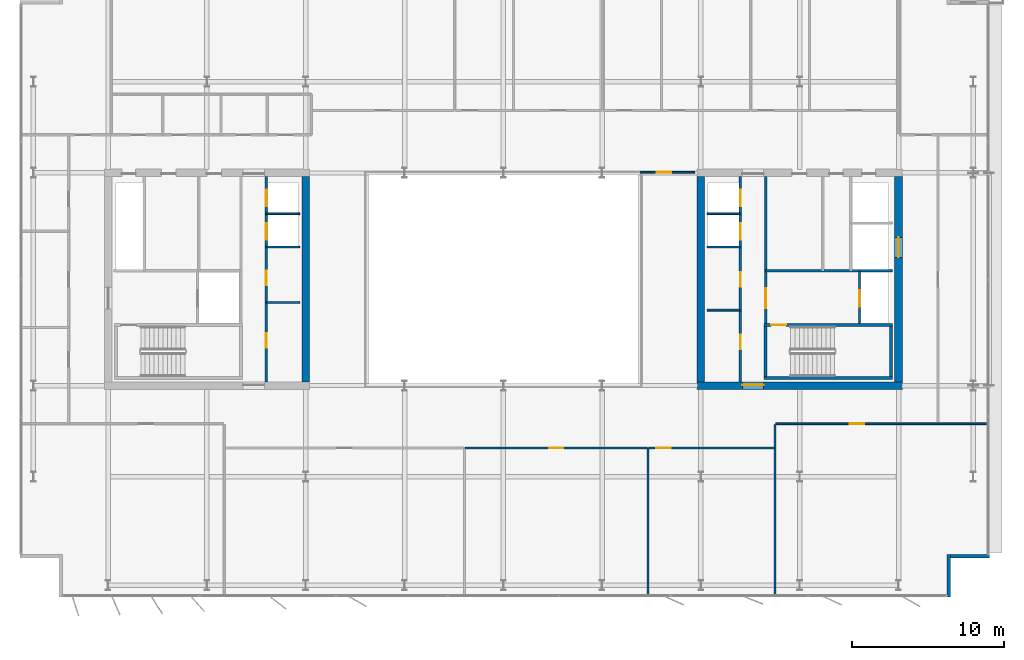
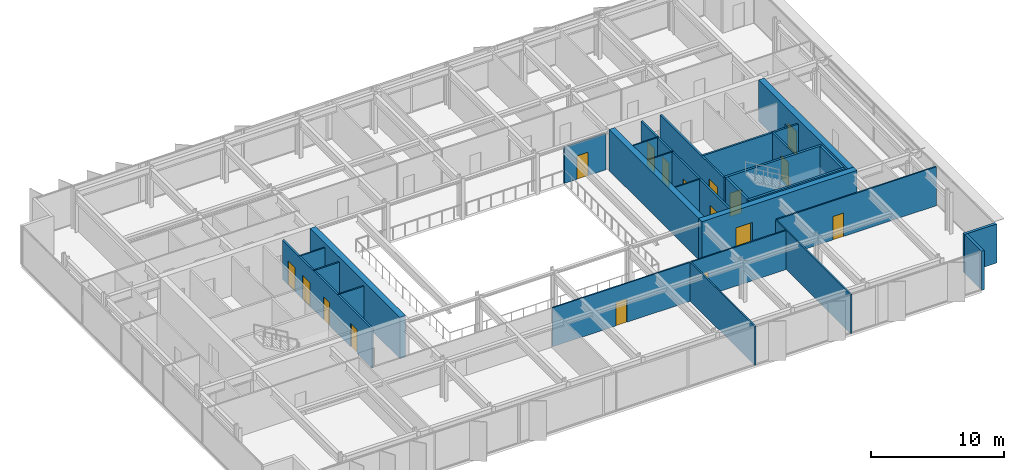
# One storey, part 13 of 19: 27 walls, 17 doors, 17 openings.
"""IFC4 building model written with IfcOpenShell, lengths in metres."""

import ifcopenshell
import ifcopenshell.guid

model = None  # the IFC model being written
_history = None  # IfcOwnerHistory: only IFC2X3 demands one
_inside = {}  # id of a spatial element -> (the spatial element, [elements in it])
_under = {}  # id of a project, library or spatial element -> (it, [spatial elements below it])
_declared = {}  # id of a project -> (the project, [libraries it declares])
_typed = {}  # id of a type object -> (the type object, [elements of that type])
_made_of = {}  # id of a material, layer set ... -> (it, [elements and type objects made of it])


def new_model(schema):
    """Start an empty IFC model of exactly this schema.

    Asked for "IFC4X3", IfcOpenShell would pick the latest addendum, in which some entities
    have other attributes; the version numbers below select the first issue.
    IFC2X3 requires an IfcOwnerHistory on every rooted entity: one is made here for all.
    """
    global model, _history
    if schema == "IFC4X3":
        model = ifcopenshell.file(schema_version=(4, 3, 0, 0))
    else:
        model = ifcopenshell.file(schema=schema)
    _inside.clear()
    _under.clear()
    _declared.clear()
    _typed.clear()
    _made_of.clear()
    _history = None
    if model.schema == "IFC2X3":
        org = make("IfcOrganization", Name="unknown")
        user = make(
            "IfcPersonAndOrganization",
            ThePerson=make("IfcPerson", FamilyName="unknown"),
            TheOrganization=org,
        )
        app = make(
            "IfcApplication",
            ApplicationDeveloper=org,
            Version="unknown",
            ApplicationFullName="unknown",
            ApplicationIdentifier="unknown",
        )
        _history = make(
            "IfcOwnerHistory",
            OwningUser=user,
            OwningApplication=app,
            ChangeAction="ADDED",
            CreationDate=0,
        )
    return model


def make(cls, **values):
    """One entity of the class cls with the attributes given. An attribute that is None is left unset."""
    return model.create_entity(
        cls, **{name: value for name, value in values.items() if value is not None}
    )


def rooted(cls, **values):
    """An entity with a GlobalId (a new one), such as an element, a storey or a relation."""
    return make(cls, GlobalId=ifcopenshell.guid.new(), OwnerHistory=_history, **values)


def si_unit(unit_type, name, prefix=None):
    """IfcSIUnit, for example si_unit("LENGTHUNIT", "METRE", prefix="MILLI")."""
    return make("IfcSIUnit", UnitType=unit_type, Prefix=prefix, Name=name)


def assignment(units):
    """IfcUnitAssignment: the units of a project."""
    return None if units is None else make("IfcUnitAssignment", Units=units)


def point(xyz):
    """IfcCartesianPoint."""
    return None if xyz is None else make("IfcCartesianPoint", Coordinates=xyz)


def direction(xyz):
    """IfcDirection."""
    return None if xyz is None else make("IfcDirection", DirectionRatios=xyz)


def frame(location, z_axis=None, x_axis=None):
    """IfcAxis2Placement3D, a coordinate frame: its origin and axes. An axis left out is left unset."""
    return make(
        "IfcAxis2Placement3D",
        Location=point(location),
        Axis=direction(z_axis),
        RefDirection=direction(x_axis),
    )


def frame_2d(location, x_axis=None):
    """IfcAxis2Placement2D, a coordinate frame in the plane: its origin and x axis."""
    return make(
        "IfcAxis2Placement2D", Location=point(location), RefDirection=direction(x_axis)
    )


def origin():
    """The frame at (0, 0, 0) with its axes left unset."""
    return frame((0.0, 0.0, 0.0))


def place(relative_to, where):
    """IfcLocalPlacement: puts the frame where relative to a parent placement (None: the world)."""
    return make(
        "IfcLocalPlacement", PlacementRelTo=relative_to, RelativePlacement=where
    )


def context(
    kind, dimensions, precision=None, world=None, true_north=None, identifier=None
):
    """IfcGeometricRepresentationContext, for example the 3D "Model" context."""
    return make(
        "IfcGeometricRepresentationContext",
        ContextIdentifier=identifier,
        ContextType=kind,
        CoordinateSpaceDimension=dimensions,
        Precision=precision,
        WorldCoordinateSystem=world,
        TrueNorth=true_north,
    )


def subcontext(parent, identifier, kind, view, scale=None):
    """IfcGeometricRepresentationSubContext, for example "Body" below "Model"."""
    return make(
        "IfcGeometricRepresentationSubContext",
        ContextIdentifier=identifier,
        ContextType=kind,
        ParentContext=parent,
        TargetScale=scale,
        TargetView=view,
    )


def project(units=None, contexts=None):
    """IfcProject with its units and contexts."""
    return rooted(
        "IfcProject",
        Name="project",
        RepresentationContexts=contexts,
        UnitsInContext=assignment(units),
    )


def spatial(cls, under=None, at=None, **own):
    """A site, building, storey or space (cls), placed at a placement, below another one or the project."""
    s = rooted(cls, ObjectPlacement=at, **own)
    if under is not None:
        _under.setdefault(under.id(), (under, []))[1].append(s)
    return s


def profile(cls, at=None, kind="AREA", **sizes):
    """A parametric profile (cls). Its sizes go by their IFC names, for example OverallWidth=200.0."""
    return make(cls, ProfileType=kind, Position=at, **sizes)


def rectangle(**sizes):
    """IfcRectangleProfileDef."""
    return profile("IfcRectangleProfileDef", **sizes)


def extrude(swept, where, along, depth):
    """IfcExtrudedAreaSolid: the profile swept, set in the frame where, extruded along a direction by depth."""
    return make(
        "IfcExtrudedAreaSolid",
        SweptArea=swept,
        Position=where,
        ExtrudedDirection=direction(along),
        Depth=depth,
    )


def shape(context_of_items, identifier, shape_type, items):
    """IfcShapeRepresentation: the items that make up one representation, for example the "Body"."""
    return make(
        "IfcShapeRepresentation",
        ContextOfItems=context_of_items,
        RepresentationIdentifier=identifier,
        RepresentationType=shape_type,
        Items=items,
    )


def material(Name=None, Category=None):
    """IfcMaterial."""
    return make("IfcMaterial", Name=Name, Category=Category)


def layer(
    of_material, thickness, ventilated=None, Name=None, Category=None, Priority=None
):
    """IfcMaterialLayer: one layer of a wall or slab, of a material (None: an air gap)."""
    return make(
        "IfcMaterialLayer",
        Material=of_material,
        LayerThickness=thickness,
        IsVentilated=ventilated,
        Name=Name,
        Category=Category,
        Priority=Priority,
    )


def layer_set(layers, Name=None):
    """IfcMaterialLayerSet."""
    return make("IfcMaterialLayerSet", MaterialLayers=layers, LayerSetName=Name)


def made_of(thing, what):
    """Note that an element or type object is made of a material, layer set ...; save() writes the relation."""
    if what is not None:
        _made_of.setdefault(what.id(), (what, []))[1].append(thing)
    return thing


def type_object(cls, material=None, **own):
    """A type object (cls), such as IfcWallType, which elements share."""
    return made_of(rooted(cls, **own), material)


def element(
    cls,
    number,
    at=None,
    inside=None,
    cuts=None,
    type_object=None,
    material=None,
    context=None,
    identifier="Body",
    shape_type=None,
    held_by="IfcProductDefinitionShape",
    body=None,
    shapes=None,
    **own,
):
    """One element of the class cls, such as IfcWall. Its Tag is "e" and its number.

    at: its placement. inside: the storey or other place that contains it. cuts: it is an
    opening in that element (IfcRelVoidsElement). A single representation is given by context,
    identifier, shape_type and body (its items); several are given by shapes. held_by: the class
    of the entity that holds the representations. save() writes the other relations.
    """
    e = rooted(cls, Tag="e%d" % number, ObjectPlacement=at, **own)
    if body is not None:
        shapes = [shape(context, identifier, shape_type, body)]
    if shapes is not None:
        e.Representation = make(held_by, Representations=shapes)
    if inside is not None:
        _inside.setdefault(inside.id(), (inside, []))[1].append(e)
    if cuts is not None:
        rooted(
            "IfcRelVoidsElement", RelatingBuildingElement=cuts, RelatedOpeningElement=e
        )
    if type_object is not None:
        _typed.setdefault(type_object.id(), (type_object, []))[1].append(e)
    return made_of(e, material)


def fill(opening, filler):
    """IfcRelFillsElement: the door or window that sits in an opening."""
    return rooted(
        "IfcRelFillsElement",
        RelatingOpeningElement=opening,
        RelatedBuildingElement=filler,
    )


def aggregate(whole, parts):
    """IfcRelAggregates: a whole, such as a stair, and the parts it consists of."""
    return rooted("IfcRelAggregates", RelatingObject=whole, RelatedObjects=parts)


def save(model, path):
    """Write the relations noted so far, then the file.

    IfcRelAggregates (storeys below a building ...), IfcRelContainedInSpatialStructure (elements
    in a storey), IfcRelDefinesByType, IfcRelAssociatesMaterial and IfcRelDeclares: one each for
    every whole, place, type object, material and project.
    """
    for whole, parts in _under.values():
        aggregate(whole, parts)
    for where, things in _inside.values():
        rooted(
            "IfcRelContainedInSpatialStructure",
            RelatedElements=things,
            RelatingStructure=where,
        )
    for kind, things in _typed.values():
        rooted("IfcRelDefinesByType", RelatedObjects=things, RelatingType=kind)
    for what, things in _made_of.values():
        rooted("IfcRelAssociatesMaterial", RelatedObjects=things, RelatingMaterial=what)
    for by, libraries in _declared.values():
        rooted("IfcRelDeclares", RelatingContext=by, RelatedDefinitions=libraries)
    model.write(path)


model = new_model("IFC4")

# Units and contexts
model_context = context("Model", 3, precision=1e-05, world=origin(), true_north=direction((0.0, 1.0)))
body_context = subcontext(model_context, "Body", "Model", "MODEL_VIEW")
ifc_project = project(units=[si_unit("LENGTHUNIT", "METRE"), si_unit("AREAUNIT", "SQUARE_METRE"), si_unit("VOLUMEUNIT", "CUBIC_METRE"), si_unit("PLANEANGLEUNIT", "RADIAN"), si_unit("MASSUNIT", "GRAM", prefix="KILO")], contexts=[model_context])

# Site, building, storey
site_placement = place(None, origin())
site = spatial("IfcSite", under=ifc_project, at=site_placement, CompositionType="ELEMENT")
building_placement = place(site_placement, origin())
building = spatial("IfcBuilding", under=site, at=building_placement, Name="Putna Gate Headquarters", CompositionType="ELEMENT")
storey_placement = place(building_placement, frame((0.0, 0.0, 263.199951171875)))
storey = spatial("IfcBuildingStorey", under=building, at=storey_placement, Name="L66", CompositionType="ELEMENT", Elevation=263.199951171875)

# Wall
ifc_material_1 = material(Name="Concrete C50/60", Category="concrete")
ifc_layer_1 = layer(ifc_material_1, 0.5)
ifc_layer_set_1 = layer_set([ifc_layer_1], Name="Concrete C50/60")
wall_type_1 = type_object("IfcWallType", Name="WALL-CORE-500", PredefinedType="SHEAR", material=ifc_layer_set_1)
wall_1_placement = place(storey_placement, frame((26.0, 19.25, 0.0), z_axis=(0.0, 0.0, 1.0), x_axis=(0.0, 1.0, 0.0)))
element("IfcWall", 1, at=wall_1_placement, inside=storey, type_object=wall_type_1, Name="L66 WC Split Core Shear Wall E", PredefinedType="SHEAR", context=body_context, shape_type="SweptSolid", body=[
    extrude(rectangle(XDim=13.5, YDim=0.5, at=frame_2d((6.75, 0.0))), origin(), (0.0, 0.0, 1.0), 3.800048828125),
])

# Wall, opening, door
wall_2_placement = place(storey_placement, frame((51.75, 19.0, 0.0), z_axis=(0.0, 0.0, 1.0), x_axis=(1.0, 0.0, 0.0)))
wall_2 = element("IfcWall", 2, at=wall_2_placement, inside=storey, type_object=wall_type_1, Name="L66 EC Split Core Shear Wall S", PredefinedType="SHEAR", context=body_context, shape_type="SweptSolid", body=[
    extrude(rectangle(XDim=13.5, YDim=0.5, at=frame_2d((6.75, 0.0))), origin(), (0.0, 0.0, 1.0), 3.800048828125),
])
opening_1_placement = place(wall_2_placement, frame((2.969970703125, 0.0, 0.0)))
opening_1 = element("IfcOpeningElement", 3, at=opening_1_placement, cuts=wall_2, Name="Opening FDD-140", PredefinedType="OPENING", context=body_context, shape_type="SweptSolid", body=[
    extrude(rectangle(XDim=1.39990234375, YDim=2.199951171875, at=frame_2d((0.699951171875, 1.10009765625))), frame((0.0, 0.260009765625, 0.0), z_axis=(0.0, -1.0, 0.0), x_axis=(1.0, 0.0, 0.0)), (0.0, 0.0, 1.0), 0.52001953125),
])
ifc_material_2 = material(Name="Double steel fire door", Category="steel")
door_type_1 = type_object("IfcDoorType", Name="DOOR-FIRE-DBL-1400", OperationType="DOUBLE_DOOR_SINGLE_SWING", PredefinedType="DOOR", material=ifc_material_2)
door_1_placement = place(opening_1_placement, origin())
door_1 = element("IfcDoor", 4, at=door_1_placement, inside=storey, type_object=door_type_1, Name="L66 East Lift Lobby South Door", OperationType="DOUBLE_DOOR_SINGLE_SWING", OverallHeight=2.199951171875, OverallWidth=1.39990234375, PredefinedType="DOOR", context=body_context, shape_type="SweptSolid", body=[
    extrude(rectangle(XDim=1.39990234375, YDim=2.199951171875, at=frame_2d((0.699951171875, 1.10009765625))), frame((0.0, 0.0751953125, 0.0), z_axis=(0.0, -1.0, 0.0), x_axis=(1.0, 0.0, 0.0)), (0.0, 0.0, 1.0), 0.050048828125),
])
fill(opening_1, door_1)

# Wall
wall_3_placement = place(storey_placement, frame((52.0, 19.25, 0.0), z_axis=(0.0, 0.0, 1.0), x_axis=(0.0, 1.0, 0.0)))
element("IfcWall", 5, at=wall_3_placement, inside=storey, type_object=wall_type_1, Name="L66 EC Split Core Shear Wall W", PredefinedType="SHEAR", context=body_context, shape_type="SweptSolid", body=[
    extrude(rectangle(XDim=13.5, YDim=0.5, at=frame_2d((6.75, 0.0))), origin(), (0.0, 0.0, 1.0), 3.800048828125),
])

# Wall, opening, door
wall_4_placement = place(storey_placement, frame((65.0, 19.25, 0.0), z_axis=(0.0, 0.0, 1.0), x_axis=(0.0, 1.0, 0.0)))
wall_4 = element("IfcWall", 6, at=wall_4_placement, inside=storey, type_object=wall_type_1, Name="L66 EC Split Core Shear Wall E", PredefinedType="SHEAR", context=body_context, shape_type="SweptSolid", body=[
    extrude(rectangle(XDim=13.5, YDim=0.5, at=frame_2d((6.75, 0.0))), origin(), (0.0, 0.0, 1.0), 3.800048828125),
])
opening_2_placement = place(wall_4_placement, frame((8.199951171875, 0.0, 0.0)))
opening_2 = element("IfcOpeningElement", 7, at=opening_2_placement, cuts=wall_4, Name="Opening LD-2", PredefinedType="OPENING", context=body_context, shape_type="SweptSolid", body=[
    extrude(rectangle(XDim=1.300048828125, YDim=2.199951171875, at=frame_2d((0.64990234375, 1.10009765625))), frame((0.0, 0.260009765625, 0.0), z_axis=(0.0, -1.0, 0.0), x_axis=(1.0, 0.0, 0.0)), (0.0, 0.0, 1.0), 0.52001953125),
])
ifc_material_3 = material(Name="Heavy-duty goods lift sliding landing door")
door_type_2 = type_object("IfcDoorType", Name="DOOR-LIFT-1300", OperationType="DOUBLE_DOOR_SLIDING", PredefinedType="DOOR", material=ifc_material_3)
door_2_placement = place(opening_2_placement, origin())
door_2 = element("IfcDoor", 8, at=door_2_placement, inside=storey, type_object=door_type_2, Name="L66 Goods Lift Landing Door LD-15", OperationType="DOUBLE_DOOR_SLIDING", OverallHeight=2.199951171875, OverallWidth=1.300048828125, PredefinedType="DOOR", context=body_context, shape_type="SweptSolid", body=[
    extrude(rectangle(XDim=1.300048828125, YDim=2.199951171875, at=frame_2d((0.64990234375, 1.10009765625))), frame((0.0, 0.02490234375, 0.0), z_axis=(0.0, -1.0, 0.0), x_axis=(1.0, 0.0, 0.0)), (0.0, 0.0, 1.0), 0.050048828125),
])
fill(opening_2, door_2)

# Walls
ifc_material_4 = material(Name="Precast concrete C40/50", Category="concrete")
ifc_layer_2 = layer(ifc_material_4, 0.239990234375)
ifc_layer_set_2 = layer_set([ifc_layer_2], Name="Precast concrete C40/50")
wall_type_2 = type_object("IfcWallType", Name="WALL-EXT-TERR-240", PredefinedType="STANDARD", material=ifc_layer_set_2)
wall_5_placement = place(storey_placement, frame((68.30908203125, 7.89990234375, 0.0), z_axis=(0.0, 0.0, 1.0), x_axis=(0.0, -1.0, 0.0)))
element("IfcWall", 9, at=wall_5_placement, inside=storey, type_object=wall_type_2, Name="L66 Corner Notch Return Wall SE-V", PredefinedType="STANDARD", context=body_context, shape_type="SweptSolid", body=[
    extrude(rectangle(XDim=2.7998046875, YDim=0.239990234375, at=frame_2d((1.39990234375, 0.0))), origin(), (0.0, 0.0, 1.0), 3.588134765625),
])
wall_6_placement = place(storey_placement, frame((70.989013671875, 7.780029296875, 0.0), z_axis=(0.0, 0.0, 1.0), x_axis=(-1.0, 0.0, 0.0)))
element("IfcWall", 10, at=wall_6_placement, inside=storey, type_object=wall_type_2, Name="L66 Corner Notch Return Wall SE-H", PredefinedType="STANDARD", context=body_context, shape_type="SweptSolid", body=[
    extrude(rectangle(XDim=2.800048828125, YDim=0.239990234375, at=frame_2d((1.39990234375, 0.0))), origin(), (0.0, 0.0, 1.0), 3.588134765625),
])

# Wall, opening, door
ifc_material_5 = material(Name="Acoustic gypsum board on metal stud")
ifc_layer_3 = layer(ifc_material_5, 0.1201171875)
ifc_layer_set_3 = layer_set([ifc_layer_3], Name="Acoustic gypsum board on metal stud")
wall_type_3 = type_object("IfcWallType", Name="WALL-PART-120", PredefinedType="PARTITIONING", material=ifc_layer_set_3)
wall_7_placement = place(storey_placement, frame((48.0, 33.0400390625, 0.0), z_axis=(0.0, 0.0, 1.0), x_axis=(1.0, 0.0, 0.0)))
wall_7 = element("IfcWall", 11, at=wall_7_placement, inside=storey, type_object=wall_type_3, Name="L66 Interior Wall PART-L66-ATR-E-N", PredefinedType="PARTITIONING", context=body_context, shape_type="SweptSolid", body=[
    extrude(rectangle(XDim=3.60009765625, YDim=0.1201171875, at=frame_2d((1.800048828125, 0.0))), origin(), (0.0, 0.0, 1.0), 3.328125),
])
opening_3_placement = place(wall_7_placement, frame((1.10009765625, 0.0, 0.0)))
opening_3 = element("IfcOpeningElement", 12, at=opening_3_placement, cuts=wall_7, Name="Opening ID-95", PredefinedType="OPENING", context=body_context, shape_type="SweptSolid", body=[
    extrude(rectangle(XDim=0.949951171875, YDim=2.14990234375, at=frame_2d((0.47509765625, 1.074951171875))), frame((0.0, 0.070068359375, 0.0), z_axis=(0.0, -1.0, 0.0), x_axis=(1.0, 0.0, 0.0)), (0.0, 0.0, 1.0), 0.14013671875),
])
ifc_material_6 = material(Name="Veneered acoustic timber door", Category="wood")
door_type_3 = type_object("IfcDoorType", Name="DOOR-OFF-950", OperationType="NOTDEFINED", PredefinedType="DOOR", material=ifc_material_6)
door_3_placement = place(opening_3_placement, origin())
door_3 = element("IfcDoor", 13, at=door_3_placement, inside=storey, type_object=door_type_3, Name="L66 East Sky Atrium Lounge Door", OperationType="SINGLE_SWING_LEFT", OverallHeight=2.14990234375, OverallWidth=0.949951171875, PredefinedType="DOOR", context=body_context, shape_type="SweptSolid", body=[
    extrude(rectangle(XDim=0.949951171875, YDim=2.14990234375, at=frame_2d((0.47509765625, 1.074951171875))), frame((0.0, 0.02490234375, 0.0), z_axis=(0.0, -1.0, 0.0), x_axis=(1.0, 0.0, 0.0)), (0.0, 0.0, 1.0), 0.050048828125),
])
fill(opening_3, door_3)

# Walls
wall_8_placement = place(storey_placement, frame((48.52001953125, 5.1201171875, 0.0), z_axis=(0.0, 0.0, 1.0), x_axis=(0.0, 1.0, 0.0)))
element("IfcWall", 14, at=wall_8_placement, inside=storey, type_object=wall_type_3, Name="L66 Interior Wall PART-L66-SB-DIV-03", PredefinedType="PARTITIONING", context=body_context, shape_type="SweptSolid", body=[
    extrude(rectangle(XDim=9.719970703125, YDim=0.1201171875, at=frame_2d((4.85986328125, 0.0))), origin(), (0.0, 0.0, 1.0), 3.588134765625),
])
wall_9_placement = place(storey_placement, frame((56.8671875, 5.1201171875, 0.0), z_axis=(0.0, 0.0, 1.0), x_axis=(0.0, 1.0, 0.0)))
element("IfcWall", 15, at=wall_9_placement, inside=storey, type_object=wall_type_3, Name="L66 Interior Wall PART-L66-SB-DIV-04", PredefinedType="PARTITIONING", context=body_context, shape_type="SweptSolid", body=[
    extrude(rectangle(XDim=11.31982421875, YDim=0.1201171875, at=frame_2d((5.659912109375, 0.0))), origin(), (0.0, 0.0, 1.0), 3.588134765625),
])
ifc_material_7 = material(Name="Fire-rated shaftwall gypsum board on metal stud")
ifc_layer_4 = layer(ifc_material_7, 0.1201171875)
ifc_layer_set_4 = layer_set([ifc_layer_4], Name="Fire-rated shaftwall gypsum board on metal stud")
wall_type_4 = type_object("IfcWallType", Name="WALL-PART-120-EI120", PredefinedType="PARTITIONING", material=ifc_layer_set_4)
for number, where, z_axis, x_axis, name in (
    (16, (23.39990234375, 30.31005859375, 0.0), (0.0, 0.0, 1.0), (1.0, 0.0, 0.0), "L66 Interior Wall CWINT-L66-WC-LF09-DIV"),
    (17, (52.39990234375, 30.31005859375, 0.0), (0.0, 0.0, 1.0), (1.0, 0.0, 0.0), "L66 Interior Wall CWINT-L66-EC-LF11-DIV"),
):
    element("IfcWall", number, at=place(storey_placement, frame(where, z_axis=z_axis, x_axis=x_axis)), inside=storey, type_object=wall_type_4, Name=name, PredefinedType="PARTITIONING", context=body_context, shape_type="SweptSolid", body=[
        extrude(rectangle(XDim=2.2001953125, YDim=0.1201171875, at=frame_2d((1.10009765625, 0.0))), origin(), (0.0, 0.0, 1.0), 3.588134765625),
    ])
ifc_material_8 = material(Name="Fire-rated gypsum board on metal stud")
ifc_layer_5 = layer(ifc_material_8, 0.1201171875)
ifc_layer_set_5 = layer_set([ifc_layer_5], Name="Fire-rated gypsum board on metal stud")
wall_type_5 = type_object("IfcWallType", Name="WALL-PART-120-RATED", PredefinedType="PARTITIONING", material=ifc_layer_set_5)
for number, where, z_axis, x_axis, name in (
    (18, (23.39990234375, 24.469970703125, 0.0), (0.0, 0.0, 1.0), (1.0, 0.0, 0.0), "L66 Interior Wall CWINT-L66-WC-REUSE-DIV"),
    (19, (23.39990234375, 28.1201171875, 0.0), (0.0, 0.0, 1.0), (1.0, 0.0, 0.0), "L66 Interior Wall CWINT-L66-WC-LF06-DIV"),
    (20, (52.39990234375, 23.969970703125, 0.0), (0.0, 0.0, 1.0), (1.0, 0.0, 0.0), "L66 Interior Wall CWINT-L66-EC-REUSE-DIV"),
    (21, (52.39990234375, 28.1201171875, 0.0), (0.0, 0.0, 1.0), (1.0, 0.0, 0.0), "L66 Interior Wall CWINT-L66-EC-LF08-DIV"),
):
    element("IfcWall", number, at=place(storey_placement, frame(where, z_axis=z_axis, x_axis=x_axis)), inside=storey, type_object=wall_type_5, Name=name, PredefinedType="PARTITIONING", context=body_context, shape_type="SweptSolid", body=[
        extrude(rectangle(XDim=2.2001953125, YDim=0.1201171875, at=frame_2d((1.10009765625, 0.0))), origin(), (0.0, 0.0, 1.0), 3.588134765625),
    ])

# Wall, opening, door
wall_10_placement = place(storey_placement, frame((36.503173828125, 14.89990234375, 0.0), z_axis=(0.0, 0.0, 1.0), x_axis=(1.0, 0.0, 0.0)))
wall_10 = element("IfcWall", 22, at=wall_10_placement, inside=storey, type_object=wall_type_5, Name="L66 Interior Wall PART-L66-SB-CW-03", PredefinedType="PARTITIONING", context=body_context, shape_type="SweptSolid", body=[
    extrude(rectangle(XDim=11.956787109375, YDim=0.1201171875, at=frame_2d((5.978515625, 0.0))), origin(), (0.0, 0.0, 1.0), 3.588134765625),
])
opening_4_placement = place(wall_10_placement, frame((5.50341796875, 0.0, 0.0)))
opening_4 = element("IfcOpeningElement", 23, at=opening_4_placement, cuts=wall_10, Name="Opening FD-95", PredefinedType="OPENING", context=body_context, shape_type="SweptSolid", body=[
    extrude(rectangle(XDim=0.949951171875, YDim=2.14990234375, at=frame_2d((0.47509765625, 1.074951171875))), frame((0.0, 0.070068359375, 0.0), z_axis=(0.0, -1.0, 0.0), x_axis=(1.0, 0.0, 0.0)), (0.0, 0.0, 1.0), 0.14013671875),
])
ifc_material_9 = material(Name="Acoustic timber fire door", Category="wood")
door_type_4 = type_object("IfcDoorType", Name="DOOR-FIRE-950", OperationType="NOTDEFINED", PredefinedType="DOOR", material=ifc_material_9)
door_4_placement = place(opening_4_placement, origin())
door_4 = element("IfcDoor", 24, at=door_4_placement, inside=storey, type_object=door_type_4, Name="L66 Conference Meeting Room 1 Door", OperationType="SINGLE_SWING_LEFT", OverallHeight=2.14990234375, OverallWidth=0.949951171875, PredefinedType="DOOR", context=body_context, shape_type="SweptSolid", body=[
    extrude(rectangle(XDim=0.949951171875, YDim=2.14990234375, at=frame_2d((0.47509765625, 1.074951171875))), frame((0.0, 0.02490234375, 0.0), z_axis=(0.0, -1.0, 0.0), x_axis=(1.0, 0.0, 0.0)), (0.0, 0.0, 1.0), 0.050048828125),
])
fill(opening_4, door_4)

wall_11_placement = place(storey_placement, frame((48.580078125, 14.89990234375, 0.0), z_axis=(0.0, 0.0, 1.0), x_axis=(1.0, 0.0, 0.0)))
wall_11 = element("IfcWall", 25, at=wall_11_placement, inside=storey, type_object=wall_type_5, Name="L66 Interior Wall PART-L66-SB-CW-04", PredefinedType="PARTITIONING", context=body_context, shape_type="SweptSolid", body=[
    extrude(rectangle(XDim=8.227294921875, YDim=0.1201171875, at=frame_2d((4.11376953125, 0.0))), origin(), (0.0, 0.0, 1.0), 3.588134765625),
])
opening_5_placement = place(wall_11_placement, frame((0.47998046875, 0.0, 0.0)))
opening_5 = element("IfcOpeningElement", 26, at=opening_5_placement, cuts=wall_11, Name="Opening FD-95", PredefinedType="OPENING", context=body_context, shape_type="SweptSolid", body=[
    extrude(rectangle(XDim=0.949951171875, YDim=2.14990234375, at=frame_2d((0.47509765625, 1.074951171875))), frame((0.0, 0.070068359375, 0.0), z_axis=(0.0, -1.0, 0.0), x_axis=(1.0, 0.0, 0.0)), (0.0, 0.0, 1.0), 0.14013671875),
])
door_5_placement = place(opening_5_placement, origin())
door_5 = element("IfcDoor", 27, at=door_5_placement, inside=storey, type_object=door_type_4, Name="L66 Conference Meeting Room 2 Door", OperationType="SINGLE_SWING_RIGHT", OverallHeight=2.14990234375, OverallWidth=0.949951171875, PredefinedType="DOOR", context=body_context, shape_type="SweptSolid", body=[
    extrude(rectangle(XDim=0.949951171875, YDim=2.14990234375, at=frame_2d((0.47509765625, 1.074951171875))), frame((0.0, 0.02490234375, 0.0), z_axis=(0.0, -1.0, 0.0), x_axis=(1.0, 0.0, 0.0)), (0.0, 0.0, 1.0), 0.050048828125),
])
fill(opening_5, door_5)

wall_12_placement = place(storey_placement, frame((56.92724609375, 16.5, 0.0), z_axis=(0.0, 0.0, 1.0), x_axis=(1.0, 0.0, 0.0)))
wall_12 = element("IfcWall", 28, at=wall_12_placement, inside=storey, type_object=wall_type_5, Name="L66 Interior Wall PART-L66-SB-CW-05", PredefinedType="PARTITIONING", context=body_context, shape_type="SweptSolid", body=[
    extrude(rectangle(XDim=13.8818359375, YDim=0.1201171875, at=frame_2d((6.94091796875, 0.0))), origin(), (0.0, 0.0, 1.0), 3.588134765625),
])
opening_6_placement = place(wall_12_placement, frame((4.861328125, 0.0, 0.0)))
opening_6 = element("IfcOpeningElement", 29, at=opening_6_placement, cuts=wall_12, Name="Opening FD-95", PredefinedType="OPENING", context=body_context, shape_type="SweptSolid", body=[
    extrude(rectangle(XDim=0.949951171875, YDim=2.14990234375, at=frame_2d((0.47509765625, 1.074951171875))), frame((0.0, 0.070068359375, 0.0), z_axis=(0.0, -1.0, 0.0), x_axis=(1.0, 0.0, 0.0)), (0.0, 0.0, 1.0), 0.14013671875),
])
door_6_placement = place(opening_6_placement, origin())
door_6 = element("IfcDoor", 30, at=door_6_placement, inside=storey, type_object=door_type_4, Name="L66 Quiet Wellness Focus Studio 1 Door", OperationType="SINGLE_SWING_LEFT", OverallHeight=2.14990234375, OverallWidth=0.949951171875, PredefinedType="DOOR", context=body_context, shape_type="SweptSolid", body=[
    extrude(rectangle(XDim=0.949951171875, YDim=2.14990234375, at=frame_2d((0.47509765625, 1.074951171875))), frame((0.0, 0.02490234375, 0.0), z_axis=(0.0, -1.0, 0.0), x_axis=(1.0, 0.0, 0.0)), (0.0, 0.0, 1.0), 0.050048828125),
])
fill(opening_6, door_6)

# Wall, openings, doors
ifc_material_10 = material(Name="Concrete C40/50", Category="concrete")
ifc_layer_6 = layer(ifc_material_10, 0.159912109375)
ifc_layer_set_6 = layer_set([ifc_layer_6], Name="Concrete C40/50")
wall_type_6 = type_object("IfcWallType", Name="WALL-SHAFT-160", PredefinedType="STANDARD", material=ifc_layer_set_6)
wall_13_placement = place(storey_placement, frame((23.39990234375, 19.25, 0.0), z_axis=(0.0, 0.0, 1.0), x_axis=(0.0, 1.0, 0.0)))
wall_13 = element("IfcWall", 31, at=wall_13_placement, inside=storey, type_object=wall_type_6, Name="L66 Interior Wall CWINT-L66-WC-PL-WALL", PredefinedType="STANDARD", context=body_context, shape_type="SweptSolid", body=[
    extrude(rectangle(XDim=13.5, YDim=0.159912109375, at=frame_2d((6.75, 0.0))), origin(), (0.0, 0.0, 1.0), 3.588134765625),
])
opening_7_placement = place(wall_13_placement, frame((2.25, 0.0, 0.0)))
opening_7 = element("IfcOpeningElement", 32, at=opening_7_placement, cuts=wall_13, Name="Opening IDS-95", PredefinedType="OPENING", context=body_context, shape_type="SweptSolid", body=[
    extrude(rectangle(XDim=0.949951171875, YDim=2.14990234375, at=frame_2d((0.47509765625, 1.074951171875))), frame((0.0, 0.08984375, 0.0), z_axis=(0.0, -1.0, 0.0), x_axis=(1.0, 0.0, 0.0)), (0.0, 0.0, 1.0), 0.179931640625),
])
opening_8_placement = place(wall_13_placement, frame((6.35009765625, 0.0, 0.0)))
opening_8 = element("IfcOpeningElement", 33, at=opening_8_placement, cuts=wall_13, Name="Opening IDS-95", PredefinedType="OPENING", context=body_context, shape_type="SweptSolid", body=[
    extrude(rectangle(XDim=0.949951171875, YDim=2.14990234375, at=frame_2d((0.47509765625, 1.074951171875))), frame((0.0, 0.08984375, 0.0), z_axis=(0.0, -1.0, 0.0), x_axis=(1.0, 0.0, 0.0)), (0.0, 0.0, 1.0), 0.179931640625),
])
opening_9_placement = place(wall_13_placement, frame((9.35009765625, 0.0, 0.0)))
opening_9 = element("IfcOpeningElement", 34, at=opening_9_placement, cuts=wall_13, Name="Opening LD-1", PredefinedType="OPENING", context=body_context, shape_type="SweptSolid", body=[
    extrude(rectangle(XDim=1.10009765625, YDim=2.199951171875, at=frame_2d((0.550048828125, 1.10009765625))), frame((0.0, 0.08984375, 0.0), z_axis=(0.0, -1.0, 0.0), x_axis=(1.0, 0.0, 0.0)), (0.0, 0.0, 1.0), 0.179931640625),
])
opening_10_placement = place(wall_13_placement, frame((11.550048828125, 0.0, 0.0)))
opening_10 = element("IfcOpeningElement", 35, at=opening_10_placement, cuts=wall_13, Name="Opening LD-1", PredefinedType="OPENING", context=body_context, shape_type="SweptSolid", body=[
    extrude(rectangle(XDim=1.10009765625, YDim=2.199951171875, at=frame_2d((0.550048828125, 1.10009765625))), frame((0.0, 0.08984375, 0.0), z_axis=(0.0, -1.0, 0.0), x_axis=(1.0, 0.0, 0.0)), (0.0, 0.0, 1.0), 0.179931640625),
])
ifc_material_11 = material(Name="Fire-rated service timber door", Category="wood")
door_type_5 = type_object("IfcDoorType", Name="DOOR-INT-950", OperationType="NOTDEFINED", PredefinedType="DOOR", material=ifc_material_11)
door_7_placement = place(opening_7_placement, origin())
door_7 = element("IfcDoor", 36, at=door_7_placement, inside=storey, type_object=door_type_5, Name="L66 Tenant IT Hub Door", OperationType="SINGLE_SWING_LEFT", OverallHeight=2.14990234375, OverallWidth=0.949951171875, PredefinedType="DOOR", context=body_context, shape_type="SweptSolid", body=[
    extrude(rectangle(XDim=0.949951171875, YDim=2.14990234375, at=frame_2d((0.47509765625, 1.074951171875))), frame((0.0, 0.02490234375, 0.0), z_axis=(0.0, -1.0, 0.0), x_axis=(1.0, 0.0, 0.0)), (0.0, 0.0, 1.0), 0.050048828125),
])
fill(opening_7, door_7)
door_8_placement = place(opening_8_placement, origin())
door_8 = element("IfcDoor", 37, at=door_8_placement, inside=storey, type_object=door_type_5, Name="L66 Records Vault Door", OperationType="SINGLE_SWING_RIGHT", OverallHeight=2.14990234375, OverallWidth=0.949951171875, PredefinedType="DOOR", context=body_context, shape_type="SweptSolid", body=[
    extrude(rectangle(XDim=0.949951171875, YDim=2.14990234375, at=frame_2d((0.47509765625, 1.074951171875))), frame((0.0, 0.02490234375, 0.0), z_axis=(0.0, -1.0, 0.0), x_axis=(1.0, 0.0, 0.0)), (0.0, 0.0, 1.0), 0.050048828125),
])
fill(opening_8, door_8)
ifc_material_12 = material(Name="Brushed bronze stainless lift landing door")
door_type_6 = type_object("IfcDoorType", Name="DOOR-LIFT-1100", OperationType="DOUBLE_DOOR_SLIDING", PredefinedType="DOOR", material=ifc_material_12)
door_9_placement = place(opening_9_placement, origin())
door_9 = element("IfcDoor", 38, at=door_9_placement, inside=storey, type_object=door_type_6, Name="L66 Lift Landing Door LD-09", OperationType="DOUBLE_DOOR_SLIDING", OverallHeight=2.199951171875, OverallWidth=1.10009765625, PredefinedType="DOOR", context=body_context, shape_type="SweptSolid", body=[
    extrude(rectangle(XDim=1.10009765625, YDim=2.199951171875, at=frame_2d((0.550048828125, 1.10009765625))), frame((0.0, 0.02490234375, 0.0), z_axis=(0.0, -1.0, 0.0), x_axis=(1.0, 0.0, 0.0)), (0.0, 0.0, 1.0), 0.050048828125),
])
fill(opening_9, door_9)
door_10_placement = place(opening_10_placement, origin())
door_10 = element("IfcDoor", 39, at=door_10_placement, inside=storey, type_object=door_type_6, Name="L66 Lift Landing Door LD-10", OperationType="DOUBLE_DOOR_SLIDING", OverallHeight=2.199951171875, OverallWidth=1.10009765625, PredefinedType="DOOR", context=body_context, shape_type="SweptSolid", body=[
    extrude(rectangle(XDim=1.10009765625, YDim=2.199951171875, at=frame_2d((0.550048828125, 1.10009765625))), frame((0.0, 0.02490234375, 0.0), z_axis=(0.0, -1.0, 0.0), x_axis=(1.0, 0.0, 0.0)), (0.0, 0.0, 1.0), 0.050048828125),
])
fill(opening_10, door_10)

wall_14_placement = place(storey_placement, frame((54.60009765625, 19.25, 0.0), z_axis=(0.0, 0.0, 1.0), x_axis=(0.0, 1.0, 0.0)))
wall_14 = element("IfcWall", 40, at=wall_14_placement, inside=storey, type_object=wall_type_6, Name="L66 Interior Wall CWINT-L66-EC-PL-WALL", PredefinedType="STANDARD", context=body_context, shape_type="SweptSolid", body=[
    extrude(rectangle(XDim=13.5, YDim=0.159912109375, at=frame_2d((6.75, 0.0))), origin(), (0.0, 0.0, 1.0), 3.588134765625),
])
opening_11_placement = place(wall_14_placement, frame((2.14990234375, 0.0, 0.0)))
opening_11 = element("IfcOpeningElement", 41, at=opening_11_placement, cuts=wall_14, Name="Opening IDS-95", PredefinedType="OPENING", context=body_context, shape_type="SweptSolid", body=[
    extrude(rectangle(XDim=0.949951171875, YDim=2.14990234375, at=frame_2d((0.47509765625, 1.074951171875))), frame((0.0, 0.08984375, 0.0), z_axis=(0.0, -1.0, 0.0), x_axis=(1.0, 0.0, 0.0)), (0.0, 0.0, 1.0), 0.179931640625),
])
opening_12_placement = place(wall_14_placement, frame((6.25, 0.0, 0.0)))
opening_12 = element("IfcOpeningElement", 42, at=opening_12_placement, cuts=wall_14, Name="Opening IDS-95", PredefinedType="OPENING", context=body_context, shape_type="SweptSolid", body=[
    extrude(rectangle(XDim=0.949951171875, YDim=2.14990234375, at=frame_2d((0.47509765625, 1.074951171875))), frame((0.0, 0.08984375, 0.0), z_axis=(0.0, -1.0, 0.0), x_axis=(1.0, 0.0, 0.0)), (0.0, 0.0, 1.0), 0.179931640625),
])
opening_13_placement = place(wall_14_placement, frame((9.35009765625, 0.0, 0.0)))
opening_13 = element("IfcOpeningElement", 43, at=opening_13_placement, cuts=wall_14, Name="Opening LD-1", PredefinedType="OPENING", context=body_context, shape_type="SweptSolid", body=[
    extrude(rectangle(XDim=1.10009765625, YDim=2.199951171875, at=frame_2d((0.550048828125, 1.10009765625))), frame((0.0, 0.08984375, 0.0), z_axis=(0.0, -1.0, 0.0), x_axis=(1.0, 0.0, 0.0)), (0.0, 0.0, 1.0), 0.179931640625),
])
opening_14_placement = place(wall_14_placement, frame((11.550048828125, 0.0, 0.0)))
opening_14 = element("IfcOpeningElement", 44, at=opening_14_placement, cuts=wall_14, Name="Opening LD-1", PredefinedType="OPENING", context=body_context, shape_type="SweptSolid", body=[
    extrude(rectangle(XDim=1.10009765625, YDim=2.199951171875, at=frame_2d((0.550048828125, 1.10009765625))), frame((0.0, 0.08984375, 0.0), z_axis=(0.0, -1.0, 0.0), x_axis=(1.0, 0.0, 0.0)), (0.0, 0.0, 1.0), 0.179931640625),
])
door_11_placement = place(opening_11_placement, origin())
door_11 = element("IfcDoor", 45, at=door_11_placement, inside=storey, type_object=door_type_5, Name="L66 Executive Archive Door", OperationType="SINGLE_SWING_RIGHT", OverallHeight=2.14990234375, OverallWidth=0.949951171875, PredefinedType="DOOR", context=body_context, shape_type="SweptSolid", body=[
    extrude(rectangle(XDim=0.949951171875, YDim=2.14990234375, at=frame_2d((0.47509765625, 1.074951171875))), frame((0.0, 0.02490234375, 0.0), z_axis=(0.0, -1.0, 0.0), x_axis=(1.0, 0.0, 0.0)), (0.0, 0.0, 1.0), 0.050048828125),
])
fill(opening_11, door_11)
door_12_placement = place(opening_12_placement, origin())
door_12 = element("IfcDoor", 46, at=door_12_placement, inside=storey, type_object=door_type_5, Name="L66 Comms Distribution Door", OperationType="SINGLE_SWING_LEFT", OverallHeight=2.14990234375, OverallWidth=0.949951171875, PredefinedType="DOOR", context=body_context, shape_type="SweptSolid", body=[
    extrude(rectangle(XDim=0.949951171875, YDim=2.14990234375, at=frame_2d((0.47509765625, 1.074951171875))), frame((0.0, 0.02490234375, 0.0), z_axis=(0.0, -1.0, 0.0), x_axis=(1.0, 0.0, 0.0)), (0.0, 0.0, 1.0), 0.050048828125),
])
fill(opening_12, door_12)
door_13_placement = place(opening_13_placement, origin())
door_13 = element("IfcDoor", 47, at=door_13_placement, inside=storey, type_object=door_type_6, Name="L66 Lift Landing Door LD-11", OperationType="DOUBLE_DOOR_SLIDING", OverallHeight=2.199951171875, OverallWidth=1.10009765625, PredefinedType="DOOR", context=body_context, shape_type="SweptSolid", body=[
    extrude(rectangle(XDim=1.10009765625, YDim=2.199951171875, at=frame_2d((0.550048828125, 1.10009765625))), frame((0.0, 0.02490234375, 0.0), z_axis=(0.0, -1.0, 0.0), x_axis=(1.0, 0.0, 0.0)), (0.0, 0.0, 1.0), 0.050048828125),
])
fill(opening_13, door_13)
door_14_placement = place(opening_14_placement, origin())
door_14 = element("IfcDoor", 48, at=door_14_placement, inside=storey, type_object=door_type_6, Name="L66 Lift Landing Door LD-12", OperationType="DOUBLE_DOOR_SLIDING", OverallHeight=2.199951171875, OverallWidth=1.10009765625, PredefinedType="DOOR", context=body_context, shape_type="SweptSolid", body=[
    extrude(rectangle(XDim=1.10009765625, YDim=2.199951171875, at=frame_2d((0.550048828125, 1.10009765625))), frame((0.0, 0.02490234375, 0.0), z_axis=(0.0, -1.0, 0.0), x_axis=(1.0, 0.0, 0.0)), (0.0, 0.0, 1.0), 0.050048828125),
])
fill(opening_14, door_14)

# Wall, opening, door
wall_15_placement = place(storey_placement, frame((56.260009765625, 23.090087890625, 0.0), z_axis=(0.0, 0.0, 1.0), x_axis=(0.0, 1.0, 0.0)))
wall_15 = element("IfcWall", 49, at=wall_15_placement, inside=storey, type_object=wall_type_6, Name="L66 Interior Wall CWINT-L66-EC-LOB-E", PredefinedType="STANDARD", context=body_context, shape_type="SweptSolid", body=[
    extrude(rectangle(XDim=9.659912109375, YDim=0.159912109375, at=frame_2d((4.830078125, 0.0))), origin(), (0.0, 0.0, 1.0), 3.588134765625),
])
opening_15_placement = place(wall_15_placement, frame((1.010009765625, 0.0, 0.0)))
opening_15 = element("IfcOpeningElement", 50, at=opening_15_placement, cuts=wall_15, Name="Opening FDD-130", PredefinedType="OPENING", context=body_context, shape_type="SweptSolid", body=[
    extrude(rectangle(XDim=1.300048828125, YDim=2.199951171875, at=frame_2d((0.64990234375, 1.10009765625))), frame((0.0, 0.08984375, 0.0), z_axis=(0.0, -1.0, 0.0), x_axis=(1.0, 0.0, 0.0)), (0.0, 0.0, 1.0), 0.179931640625),
])
ifc_material_13 = material(Name="Double steel lobby fire door", Category="steel")
door_type_7 = type_object("IfcDoorType", Name="DOOR-FIRE-DBL-1300", OperationType="DOUBLE_DOOR_SINGLE_SWING", PredefinedType="DOOR", material=ifc_material_13)
door_15_placement = place(opening_15_placement, origin())
door_15 = element("IfcDoor", 51, at=door_15_placement, inside=storey, type_object=door_type_7, Name="L66 East Firefighting Lobby Door", OperationType="DOUBLE_DOOR_SINGLE_SWING", OverallHeight=2.199951171875, OverallWidth=1.300048828125, PredefinedType="DOOR", context=body_context, shape_type="SweptSolid", body=[
    extrude(rectangle(XDim=1.300048828125, YDim=2.199951171875, at=frame_2d((0.64990234375, 1.10009765625))), frame((0.0, 0.02490234375, 0.0), z_axis=(0.0, -1.0, 0.0), x_axis=(1.0, 0.0, 0.0)), (0.0, 0.0, 1.0), 0.050048828125),
])
fill(opening_15, door_15)

wall_16_placement = place(storey_placement, frame((62.429931640625, 23.090087890625, 0.0), z_axis=(0.0, 0.0, 1.0), x_axis=(0.0, 1.0, 0.0)))
wall_16 = element("IfcWall", 52, at=wall_16_placement, inside=storey, type_object=wall_type_6, Name="L66 Interior Wall CWINT-L66-EC-LF14-W", PredefinedType="STANDARD", context=body_context, shape_type="SweptSolid", body=[
    extrude(rectangle(XDim=3.469970703125, YDim=0.159912109375, at=frame_2d((1.73486328125, 0.0))), origin(), (0.0, 0.0, 1.0), 3.588134765625),
])
opening_16_placement = place(wall_16_placement, frame((1.10009765625, 0.0, 0.0)))
opening_16 = element("IfcOpeningElement", 53, at=opening_16_placement, cuts=wall_16, Name="Opening LD-1", PredefinedType="OPENING", context=body_context, shape_type="SweptSolid", body=[
    extrude(rectangle(XDim=1.10009765625, YDim=2.199951171875, at=frame_2d((0.550048828125, 1.10009765625))), frame((0.0, 0.08984375, 0.0), z_axis=(0.0, -1.0, 0.0), x_axis=(1.0, 0.0, 0.0)), (0.0, 0.0, 1.0), 0.179931640625),
])
door_16_placement = place(opening_16_placement, origin())
door_16 = element("IfcDoor", 54, at=door_16_placement, inside=storey, type_object=door_type_6, Name="L66 Lift Landing Door LD-14", OperationType="DOUBLE_DOOR_SLIDING", OverallHeight=2.199951171875, OverallWidth=1.10009765625, PredefinedType="DOOR", context=body_context, shape_type="SweptSolid", body=[
    extrude(rectangle(XDim=1.10009765625, YDim=2.199951171875, at=frame_2d((0.550048828125, 1.10009765625))), frame((0.0, 0.02490234375, 0.0), z_axis=(0.0, -1.0, 0.0), x_axis=(1.0, 0.0, 0.0)), (0.0, 0.0, 1.0), 0.050048828125),
])
fill(opening_16, door_16)

# Walls
wall_17_placement = place(storey_placement, frame((56.260009765625, 26.56005859375, 0.0), z_axis=(0.0, 0.0, 1.0), x_axis=(1.0, 0.0, 0.0)))
element("IfcWall", 55, at=wall_17_placement, inside=storey, type_object=wall_type_6, Name="L66 Interior Wall CWINT-L66-EC-FFL-N", PredefinedType="STANDARD", context=body_context, shape_type="SweptSolid", body=[
    extrude(rectangle(XDim=8.340087890625, YDim=0.159912109375, at=frame_2d((4.169921875, 0.0))), origin(), (0.0, 0.0, 1.0), 3.588134765625),
])
ifc_layer_7 = layer(ifc_material_10, 0.199951171875)
ifc_layer_set_7 = layer_set([ifc_layer_7], Name="Concrete C40/50")
wall_type_7 = type_object("IfcWallType", Name="WALL-SHAFT-RC200", PredefinedType="SHEAR", material=ifc_layer_set_7)
wall_18_placement = place(storey_placement, frame((56.159912109375, 19.510009765625, 0.0), z_axis=(0.0, 0.0, 1.0), x_axis=(1.0, 0.0, 0.0)))
element("IfcWall", 56, at=wall_18_placement, inside=storey, type_object=wall_type_7, Name="L66 Stair ST2 Structural Shaft Wall S", PredefinedType="SHEAR", context=body_context, shape_type="SweptSolid", body=[
    extrude(rectangle(XDim=8.43017578125, YDim=0.199951171875, at=frame_2d((4.215087890625, 0.0))), origin(), (0.0, 0.0, 1.0), 3.800048828125),
])

# Wall, opening, door
wall_19_placement = place(storey_placement, frame((56.159912109375, 22.989990234375, 0.0), z_axis=(0.0, 0.0, 1.0), x_axis=(1.0, 0.0, 0.0)))
wall_19 = element("IfcWall", 57, at=wall_19_placement, inside=storey, type_object=wall_type_7, Name="L66 Stair ST2 Structural Shaft Wall N", PredefinedType="SHEAR", context=body_context, shape_type="SweptSolid", body=[
    extrude(rectangle(XDim=8.43017578125, YDim=0.199951171875, at=frame_2d((4.215087890625, 0.0))), origin(), (0.0, 0.0, 1.0), 3.800048828125),
])
opening_17_placement = place(wall_19_placement, frame((0.449951171875, 0.0, 0.0)))
opening_17 = element("IfcOpeningElement", 58, at=opening_17_placement, cuts=wall_19, Name="Opening FD-100", PredefinedType="OPENING", context=body_context, shape_type="SweptSolid", body=[
    extrude(rectangle(XDim=1.0, YDim=2.14990234375, at=frame_2d((0.5, 1.074951171875))), frame((0.0, 0.10986328125, 0.0), z_axis=(0.0, -1.0, 0.0), x_axis=(1.0, 0.0, 0.0)), (0.0, 0.0, 1.0), 0.219970703125),
])
ifc_material_14 = material(Name="Powder-coated steel fire door", Category="steel")
door_type_8 = type_object("IfcDoorType", Name="DOOR-FIRE-1000", OperationType="NOTDEFINED", PredefinedType="DOOR", material=ifc_material_14)
door_17_placement = place(opening_17_placement, origin())
door_17 = element("IfcDoor", 59, at=door_17_placement, inside=storey, type_object=door_type_8, Name="L66 Stair ST2 Fire Door", OperationType="SINGLE_SWING_RIGHT", OverallHeight=2.14990234375, OverallWidth=1.0, PredefinedType="DOOR", context=body_context, shape_type="SweptSolid", body=[
    extrude(rectangle(XDim=1.0, YDim=2.14990234375, at=frame_2d((0.5, 1.074951171875))), frame((0.0, 0.02490234375, 0.0), z_axis=(0.0, -1.0, 0.0), x_axis=(1.0, 0.0, 0.0)), (0.0, 0.0, 1.0), 0.050048828125),
])
fill(opening_17, door_17)

# Walls
for number, where, z_axis, x_axis, name in (
    (60, (56.260009765625, 19.610107421875, 0.0), (0.0, 0.0, 1.0), (0.0, 1.0, 0.0), "L66 Stair ST2 Structural Shaft Wall W"),
    (61, (64.489990234375, 19.610107421875, 0.0), (0.0, 0.0, 1.0), (0.0, 1.0, 0.0), "L66 Stair ST2 Structural Shaft Wall E"),
):
    element("IfcWall", number, at=place(storey_placement, frame(where, z_axis=z_axis, x_axis=x_axis)), inside=storey, type_object=wall_type_7, Name=name, PredefinedType="SHEAR", context=body_context, shape_type="SweptSolid", body=[
        extrude(rectangle(XDim=3.27978515625, YDim=0.199951171875, at=frame_2d((1.639892578125, 0.0))), origin(), (0.0, 0.0, 1.0), 3.800048828125),
    ])

save(model, "model.ifc")
